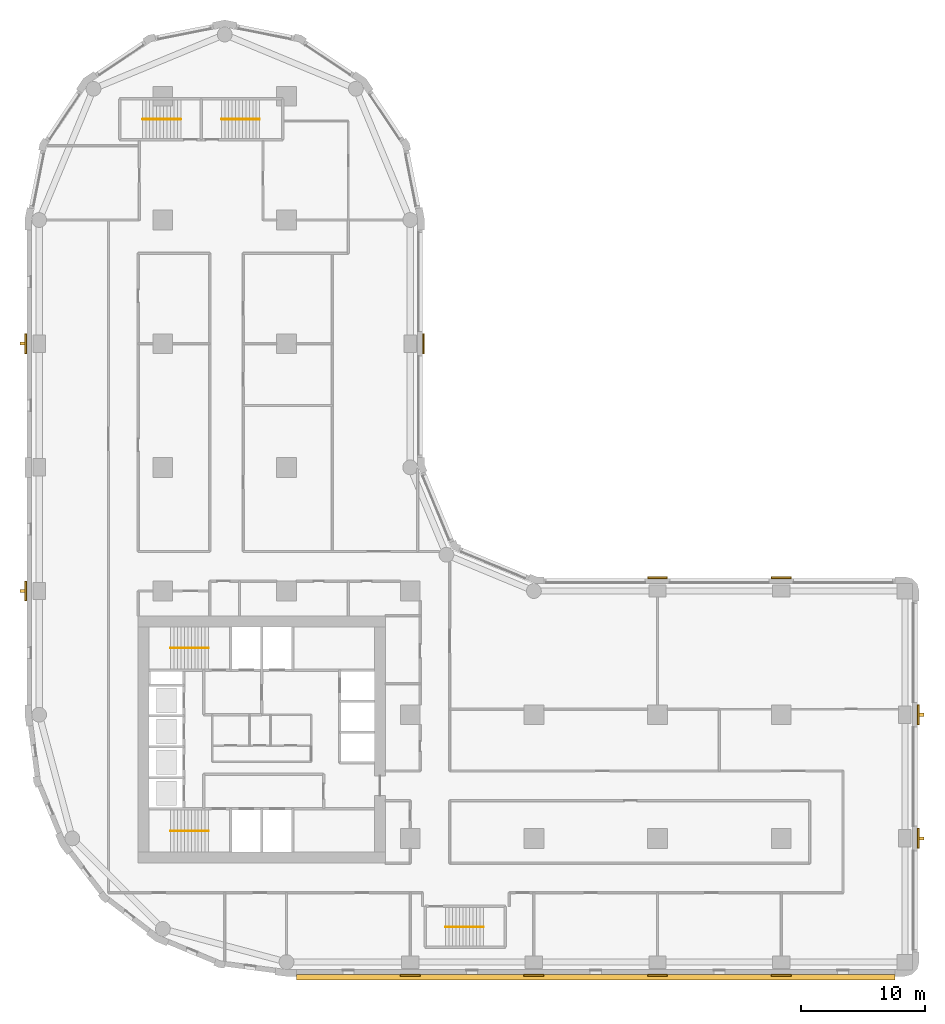
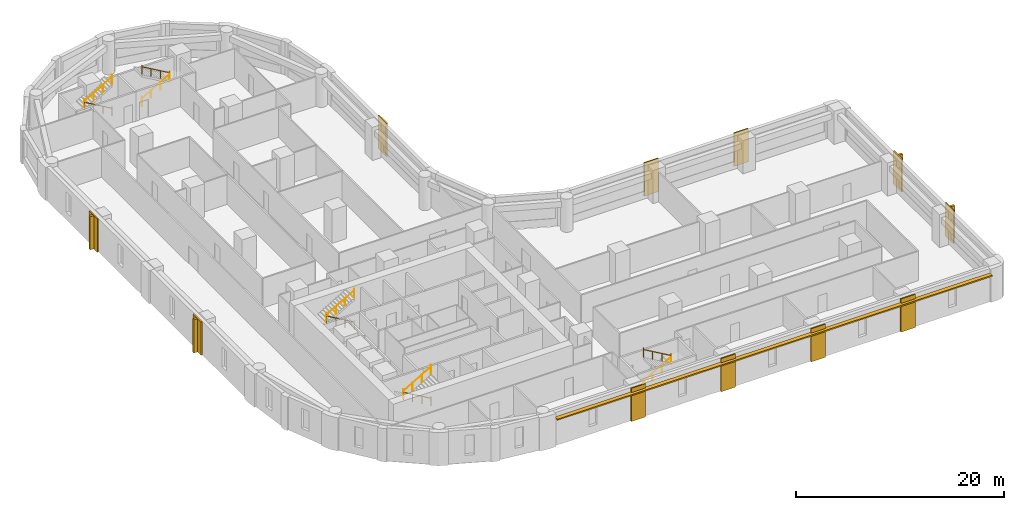
# One storey, part 9 of 10: 11 coverings, 10 railings, 5 shading devices.
"""IFC4 building model written with IfcOpenShell, lengths in metres."""

from ifc_helpers import new_model, si_unit, direction, frame, origin, origin_2d, place, context, subcontext, project, spatial, polyline, rectangle, circle, outline, extrude, material, layer, layer_set, type_object, element, save


model = new_model("IFC4")

# Units and contexts
model_context = context("Model", 3, precision=1e-05, world=origin(), true_north=direction((0.0, 1.0)))
body_context = subcontext(model_context, "Body", "Model", "MODEL_VIEW")
ifc_project = project(units=[si_unit("LENGTHUNIT", "METRE"), si_unit("AREAUNIT", "SQUARE_METRE"), si_unit("VOLUMEUNIT", "CUBIC_METRE"), si_unit("PLANEANGLEUNIT", "RADIAN"), si_unit("MASSUNIT", "GRAM", prefix="KILO")], contexts=[model_context])

# Site, building, storey
site_placement = place(None, origin())
site = spatial("IfcSite", under=ifc_project, at=site_placement, CompositionType="ELEMENT")
building_placement = place(site_placement, origin())
building = spatial("IfcBuilding", under=site, at=building_placement, Name="Qaws Garden Tower", CompositionType="ELEMENT")
storey_placement = place(building_placement, frame((0.0, 0.0, 113.39990234375)))
storey = spatial("IfcBuildingStorey", under=building, at=storey_placement, Name="L28", CompositionType="ELEMENT", Elevation=113.39990234375)

# Shading devices
ifc_material_1 = material(Name="Clay facing brick masonry", Category="masonry")
ifc_layer_1 = layer(ifc_material_1, 0.14990234375)
ifc_layer_set_1 = layer_set([ifc_layer_1], Name="Clay facing brick masonry")
shading_device_type_1 = type_object("IfcShadingDeviceType", Name="Brick sunshade band 450 x 150", PredefinedType="JALOUSIE", material=ifc_layer_set_1)
shading_device_placement = place(storey_placement, frame((0.0, 0.0, 3.25)))
element("IfcShadingDevice", 1, at=shading_device_placement, inside=storey, type_object=shading_device_type_1, Name="SUNSHADE 00", PredefinedType="JALOUSIE", context=body_context, shape_type="SweptSolid", body=[
    extrude(outline(polyline([(20.800048828125, -1.0), (20.800048828125, -1.449951171875), (69.199951171875, -1.449951171875), (69.199951171875, -1.0), (60.800048828125, -1.0), (60.800048828125, -1.14990234375), (59.199951171875, -1.14990234375), (59.199951171875, -1.0), (50.800048828125, -1.0), (50.800048828125, -1.14990234375), (49.199951171875, -1.14990234375), (49.199951171875, -1.0), (40.800048828125, -1.0), (40.800048828125, -1.14990234375), (39.199951171875, -1.14990234375), (39.199951171875, -1.0), (30.800048828125, -1.0), (30.800048828125, -1.14990234375), (29.199951171875, -1.14990234375), (29.199951171875, -1.0), (20.800048828125, -1.0)])), origin(), (0.0, 0.0, 1.0), 0.150146484375),
])
ifc_material_2 = material(Name="Clay facing brick masonry", Category="masonry")
ifc_layer_2 = layer(ifc_material_2, 0.25)
ifc_layer_set_2 = layer_set([ifc_layer_2], Name="Clay facing brick masonry")
shading_device_type_2 = type_object("IfcShadingDeviceType", Name="Brick-faced fin 250 x 400", PredefinedType="USERDEFINED", material=ifc_layer_set_2)
for number, where, z_axis, x_axis, name in (
    (2, (71.35009765625, 10.0, 0.000244140625), (0.0, 0.0, 1.0), (0.0, 1.0, 0.0), "FIN 06"),
    (3, (71.35009765625, 20.0, 0.000244140625), (0.0, 0.0, 1.0), (0.0, 1.0, 0.0), "FIN 07"),
    (4, (-1.35009765625, 50.0, 0.000244140625), (0.0, 0.0, 1.0), (0.0, -1.0, 0.0), "FIN 24"),
    (5, (-1.35009765625, 30.0, 0.000244140625), (0.0, 0.0, 1.0), (0.0, -1.0, 0.0), "FIN 26"),
):
    element("IfcShadingDevice", number, at=place(storey_placement, frame(where, z_axis=z_axis, x_axis=x_axis)), inside=storey, type_object=shading_device_type_2, Name=name, ObjectType="FIN", PredefinedType="USERDEFINED", context=body_context, shape_type="SweptSolid", body=[
        extrude(rectangle(XDim=0.25, YDim=0.39990234375, at=origin_2d()), origin(), (0.0, 0.0, 1.0), 3.89990234375),
    ])

# Coverings
ifc_material_3 = material(Name="Buff clay facing brick masonry", Category="masonry")
ifc_layer_3 = layer(ifc_material_3, 0.14990234375)
ifc_layer_set_3 = layer_set([ifc_layer_3], Name="Buff clay facing brick masonry")
covering_type = type_object("IfcCoveringType", Name="Buff brick pilaster facing 150 x 1600", PredefinedType="CLADDING", material=ifc_layer_set_3)
placement = place(storey_placement, origin())
element("IfcCovering", 6, at=placement, inside=storey, type_object=covering_type, Name="E-L28-pier-01", PredefinedType="CLADDING", context=body_context, shape_type="SweptSolid", body=[
    extrude(outline(polyline([(29.199951171875, -1.0), (30.800048828125, -1.0), (30.800048828125, -1.14990234375), (29.199951171875, -1.14990234375), (29.199951171875, -1.0)])), origin(), (0.0, 0.0, 1.0), 3.900146484375),
])
element("IfcCovering", 7, at=placement, inside=storey, type_object=covering_type, Name="E-L28-pier-02", PredefinedType="CLADDING", context=body_context, shape_type="SweptSolid", body=[
    extrude(outline(polyline([(39.199951171875, -1.0), (40.800048828125, -1.0), (40.800048828125, -1.14990234375), (39.199951171875, -1.14990234375), (39.199951171875, -1.0)])), origin(), (0.0, 0.0, 1.0), 3.900146484375),
])
element("IfcCovering", 8, at=placement, inside=storey, type_object=covering_type, Name="E-L28-pier-03", PredefinedType="CLADDING", context=body_context, shape_type="SweptSolid", body=[
    extrude(outline(polyline([(49.199951171875, -1.0), (50.800048828125, -1.0), (50.800048828125, -1.14990234375), (49.199951171875, -1.14990234375), (49.199951171875, -1.0)])), origin(), (0.0, 0.0, 1.0), 3.900146484375),
])
element("IfcCovering", 9, at=placement, inside=storey, type_object=covering_type, Name="E-L28-pier-04", PredefinedType="CLADDING", context=body_context, shape_type="SweptSolid", body=[
    extrude(outline(polyline([(59.199951171875, -1.0), (60.800048828125, -1.0), (60.800048828125, -1.14990234375), (59.199951171875, -1.14990234375), (59.199951171875, -1.0)])), origin(), (0.0, 0.0, 1.0), 3.900146484375),
])
element("IfcCovering", 10, at=placement, inside=storey, type_object=covering_type, Name="E-L28-pier-06", PredefinedType="CLADDING", context=body_context, shape_type="SweptSolid", body=[
    extrude(outline(polyline([(71.0, 9.199951171875), (71.0, 10.800048828125), (71.14990234375, 10.800048828125), (71.14990234375, 9.199951171875), (71.0, 9.199951171875)])), origin(), (0.0, 0.0, 1.0), 3.900146484375),
])
element("IfcCovering", 11, at=placement, inside=storey, type_object=covering_type, Name="E-L28-pier-07", PredefinedType="CLADDING", context=body_context, shape_type="SweptSolid", body=[
    extrude(outline(polyline([(71.0, 19.199951171875), (71.0, 20.800048828125), (71.14990234375, 20.800048828125), (71.14990234375, 19.199951171875), (71.0, 19.199951171875)])), origin(), (0.0, 0.0, 1.0), 3.900146484375),
])
element("IfcCovering", 12, at=placement, inside=storey, type_object=covering_type, Name="E-L28-pier-09", PredefinedType="CLADDING", context=body_context, shape_type="SweptSolid", body=[
    extrude(outline(polyline([(60.800048828125, 31.0), (59.199951171875, 31.0), (59.199951171875, 31.14990234375), (60.800048828125, 31.14990234375), (60.800048828125, 31.0)])), origin(), (0.0, 0.0, 1.0), 3.900146484375),
])
element("IfcCovering", 13, at=placement, inside=storey, type_object=covering_type, Name="E-L28-pier-10", PredefinedType="CLADDING", context=body_context, shape_type="SweptSolid", body=[
    extrude(outline(polyline([(50.800048828125, 31.0), (49.199951171875, 31.0), (49.199951171875, 31.14990234375), (50.800048828125, 31.14990234375), (50.800048828125, 31.0)])), origin(), (0.0, 0.0, 1.0), 3.900146484375),
])
element("IfcCovering", 14, at=placement, inside=storey, type_object=covering_type, Name="E-L28-pier-14", PredefinedType="CLADDING", context=body_context, shape_type="SweptSolid", body=[
    extrude(outline(polyline([(31.0, 49.199951171875), (31.0, 50.800048828125), (31.14990234375, 50.800048828125), (31.14990234375, 49.199951171875), (31.0, 49.199951171875)])), origin(), (0.0, 0.0, 1.0), 3.900146484375),
])
element("IfcCovering", 15, at=placement, inside=storey, type_object=covering_type, Name="E-L28-pier-24", PredefinedType="CLADDING", context=body_context, shape_type="SweptSolid", body=[
    extrude(outline(polyline([(-1.0, 50.800048828125), (-1.0, 49.199951171875), (-1.14990234375, 49.199951171875), (-1.14990234375, 50.800048828125), (-1.0, 50.800048828125)])), origin(), (0.0, 0.0, 1.0), 3.900146484375),
])
element("IfcCovering", 16, at=placement, inside=storey, type_object=covering_type, Name="E-L28-pier-26", PredefinedType="CLADDING", context=body_context, shape_type="SweptSolid", body=[
    extrude(outline(polyline([(-1.0, 30.800048828125), (-1.0, 29.199951171875), (-1.14990234375, 29.199951171875), (-1.14990234375, 30.800048828125), (-1.0, 30.800048828125)])), origin(), (0.0, 0.0, 1.0), 3.900146484375),
])

# Railings
ifc_material_4 = material(Name="Steel S355", Category="steel")
railing_type = type_object("IfcRailingType", Name="Stair handrail 900", PredefinedType="HANDRAIL", material=ifc_material_4)
railing_1_placement = place(storey_placement, frame((13.699951171875, 10.60009765625, 0.16259765625)))
element("IfcRailing", 17, at=railing_1_placement, inside=storey, type_object=railing_type, Name="Stair 1 handrail", PredefinedType="HANDRAIL", context=body_context, shape_type="SweptSolid", body=[
    extrude(circle(Radius=0.02392578125, at=origin_2d()), frame((0.0, 0.0, 0.8759765625), z_axis=(-0.864873446163, 0.0, 0.501989962173), x_axis=(0.0, -1.0, 0.0)), (0.0, 0.0, 1.0), 3.56103515625),
    extrude(circle(Radius=0.02099609375, at=origin_2d()), origin(), (0.0, 0.0, 1.0), 1.06201171875),
    extrude(circle(Radius=0.02099609375, at=origin_2d()), frame((-1.026611328125, 0.0, 0.595947265625)), (0.0, 0.0, 1.0), 0.851806640625),
    extrude(circle(Radius=0.02099609375, at=origin_2d()), frame((-2.05322265625, 0.0, 1.191650390625)), (0.0, 0.0, 1.0), 0.851806640625),
    extrude(circle(Radius=0.02099609375, at=origin_2d()), frame((-3.079833984375, 0.0, 1.78759765625)), (0.0, 0.0, 1.0), 1.06201171875),
])
railing_2_placement = place(storey_placement, frame((10.6201171875, 10.60009765625, 2.112548828125)))
element("IfcRailing", 18, at=railing_2_placement, inside=storey, type_object=railing_type, Name="Stair 1 handrail", PredefinedType="HANDRAIL", context=body_context, shape_type="SweptSolid", body=[
    extrude(circle(Radius=0.02392578125, at=origin_2d()), frame((0.0, 0.0, 0.8759765625), z_axis=(0.864873446163, 0.0, 0.501989962173), x_axis=(0.0, 1.0, 0.0)), (0.0, 0.0, 1.0), 3.56103515625),
    extrude(circle(Radius=0.02099609375, at=origin_2d()), origin(), (0.0, 0.0, 1.0), 1.06201171875),
    extrude(circle(Radius=0.02099609375, at=origin_2d()), frame((1.026611328125, 0.0, 0.595947265625)), (0.0, 0.0, 1.0), 0.851806640625),
    extrude(circle(Radius=0.02099609375, at=origin_2d()), frame((2.05322265625, 0.0, 1.191650390625)), (0.0, 0.0, 1.0), 0.851806640625),
    extrude(circle(Radius=0.02099609375, at=origin_2d()), frame((3.079833984375, 0.0, 1.78759765625)), (0.0, 0.0, 1.0), 1.06201171875),
])
railing_3_placement = place(storey_placement, frame((13.699951171875, 25.39990234375, 0.16259765625)))
element("IfcRailing", 19, at=railing_3_placement, inside=storey, type_object=railing_type, Name="Stair 4 handrail", PredefinedType="HANDRAIL", context=body_context, shape_type="SweptSolid", body=[
    extrude(circle(Radius=0.02392578125, at=origin_2d()), frame((0.0, 0.0, 0.8759765625), z_axis=(-0.864873446163, 0.0, 0.501989962173), x_axis=(0.0, -1.0, 0.0)), (0.0, 0.0, 1.0), 3.56103515625),
    extrude(circle(Radius=0.02099609375, at=origin_2d()), origin(), (0.0, 0.0, 1.0), 1.06201171875),
    extrude(circle(Radius=0.02099609375, at=origin_2d()), frame((-1.026611328125, 0.0, 0.595947265625)), (0.0, 0.0, 1.0), 0.851806640625),
    extrude(circle(Radius=0.02099609375, at=origin_2d()), frame((-2.05322265625, 0.0, 1.191650390625)), (0.0, 0.0, 1.0), 0.851806640625),
    extrude(circle(Radius=0.02099609375, at=origin_2d()), frame((-3.079833984375, 0.0, 1.78759765625)), (0.0, 0.0, 1.0), 1.06201171875),
])
for number, where, name in (
    (20, (10.6201171875, 25.39990234375, 2.112548828125), "Stair 4 handrail"),
    (21, (32.85009765625, 2.85009765625, 0.16259765625), "Stair 5 handrail"),
):
    element("IfcRailing", number, at=place(storey_placement, frame(where)), inside=storey, type_object=railing_type, Name=name, PredefinedType="HANDRAIL", context=body_context, shape_type="SweptSolid", body=[
        extrude(circle(Radius=0.02392578125, at=origin_2d()), frame((0.0, 0.0, 0.8759765625), z_axis=(0.864873446163, 0.0, 0.501989962173), x_axis=(0.0, 1.0, 0.0)), (0.0, 0.0, 1.0), 3.56103515625),
        extrude(circle(Radius=0.02099609375, at=origin_2d()), origin(), (0.0, 0.0, 1.0), 1.06201171875),
        extrude(circle(Radius=0.02099609375, at=origin_2d()), frame((1.026611328125, 0.0, 0.595947265625)), (0.0, 0.0, 1.0), 0.851806640625),
        extrude(circle(Radius=0.02099609375, at=origin_2d()), frame((2.05322265625, 0.0, 1.191650390625)), (0.0, 0.0, 1.0), 0.851806640625),
        extrude(circle(Radius=0.02099609375, at=origin_2d()), frame((3.079833984375, 0.0, 1.78759765625)), (0.0, 0.0, 1.0), 1.06201171875),
    ])
for number, where, name in (
    (22, (35.929931640625, 2.85009765625, 2.112548828125), "Stair 5 handrail"),
    (23, (11.449951171875, 68.14990234375, 0.16259765625), "Stair 6 handrail"),
):
    element("IfcRailing", number, at=place(storey_placement, frame(where)), inside=storey, type_object=railing_type, Name=name, PredefinedType="HANDRAIL", context=body_context, shape_type="SweptSolid", body=[
        extrude(circle(Radius=0.02392578125, at=origin_2d()), frame((0.0, 0.0, 0.8759765625), z_axis=(-0.864873446163, 0.0, 0.501989962173), x_axis=(0.0, -1.0, 0.0)), (0.0, 0.0, 1.0), 3.56103515625),
        extrude(circle(Radius=0.02099609375, at=origin_2d()), origin(), (0.0, 0.0, 1.0), 1.06201171875),
        extrude(circle(Radius=0.02099609375, at=origin_2d()), frame((-1.026611328125, 0.0, 0.595947265625)), (0.0, 0.0, 1.0), 0.851806640625),
        extrude(circle(Radius=0.02099609375, at=origin_2d()), frame((-2.05322265625, 0.0, 1.191650390625)), (0.0, 0.0, 1.0), 0.851806640625),
        extrude(circle(Radius=0.02099609375, at=origin_2d()), frame((-3.079833984375, 0.0, 1.78759765625)), (0.0, 0.0, 1.0), 1.06201171875),
    ])
railing_4_placement = place(storey_placement, frame((8.3701171875, 68.14990234375, 2.112548828125)))
element("IfcRailing", 24, at=railing_4_placement, inside=storey, type_object=railing_type, Name="Stair 6 handrail", PredefinedType="HANDRAIL", context=body_context, shape_type="SweptSolid", body=[
    extrude(circle(Radius=0.02392578125, at=origin_2d()), frame((0.0, 0.0, 0.8759765625), z_axis=(0.864873446163, 0.0, 0.501989962173), x_axis=(0.0, 1.0, 0.0)), (0.0, 0.0, 1.0), 3.56103515625),
    extrude(circle(Radius=0.02099609375, at=origin_2d()), origin(), (0.0, 0.0, 1.0), 1.06201171875),
    extrude(circle(Radius=0.02099609375, at=origin_2d()), frame((1.026611328125, 0.0, 0.595947265625)), (0.0, 0.0, 1.0), 0.851806640625),
    extrude(circle(Radius=0.02099609375, at=origin_2d()), frame((2.05322265625, 0.0, 1.191650390625)), (0.0, 0.0, 1.0), 0.851806640625),
    extrude(circle(Radius=0.02099609375, at=origin_2d()), frame((3.079833984375, 0.0, 1.78759765625)), (0.0, 0.0, 1.0), 1.06201171875),
])
railing_5_placement = place(storey_placement, frame((14.75, 68.14990234375, 0.16259765625)))
element("IfcRailing", 25, at=railing_5_placement, inside=storey, type_object=railing_type, Name="Stair 7 handrail", PredefinedType="HANDRAIL", context=body_context, shape_type="SweptSolid", body=[
    extrude(circle(Radius=0.02392578125, at=origin_2d()), frame((0.0, 0.0, 0.8759765625), z_axis=(0.864890721111, 0.0, 0.501960198159), x_axis=(0.0, 1.0, 0.0)), (0.0, 0.0, 1.0), 3.561279296875),
    extrude(circle(Radius=0.02099609375, at=origin_2d()), origin(), (0.0, 0.0, 1.0), 1.06201171875),
    extrude(circle(Radius=0.02099609375, at=origin_2d()), frame((1.026611328125, 0.0, 0.595947265625)), (0.0, 0.0, 1.0), 0.851806640625),
    extrude(circle(Radius=0.02099609375, at=origin_2d()), frame((2.053466796875, 0.0, 1.191650390625)), (0.0, 0.0, 1.0), 0.851806640625),
    extrude(circle(Radius=0.02099609375, at=origin_2d()), frame((3.080078125, 0.0, 1.78759765625)), (0.0, 0.0, 1.0), 1.06201171875),
])
railing_6_placement = place(storey_placement, frame((17.830078125, 68.14990234375, 2.112548828125)))
element("IfcRailing", 26, at=railing_6_placement, inside=storey, type_object=railing_type, Name="Stair 7 handrail", PredefinedType="HANDRAIL", context=body_context, shape_type="SweptSolid", body=[
    extrude(circle(Radius=0.02392578125, at=origin_2d()), frame((0.0, 0.0, 0.8759765625), z_axis=(-0.864890721111, 0.0, 0.501960198159), x_axis=(0.0, -1.0, 0.0)), (0.0, 0.0, 1.0), 3.561279296875),
    extrude(circle(Radius=0.02099609375, at=origin_2d()), origin(), (0.0, 0.0, 1.0), 1.06201171875),
    extrude(circle(Radius=0.02099609375, at=origin_2d()), frame((-1.026611328125, 0.0, 0.595947265625)), (0.0, 0.0, 1.0), 0.851806640625),
    extrude(circle(Radius=0.02099609375, at=origin_2d()), frame((-2.053466796875, 0.0, 1.191650390625)), (0.0, 0.0, 1.0), 0.851806640625),
    extrude(circle(Radius=0.02099609375, at=origin_2d()), frame((-3.080078125, 0.0, 1.78759765625)), (0.0, 0.0, 1.0), 1.06201171875),
])

save(model, "model.ifc")
